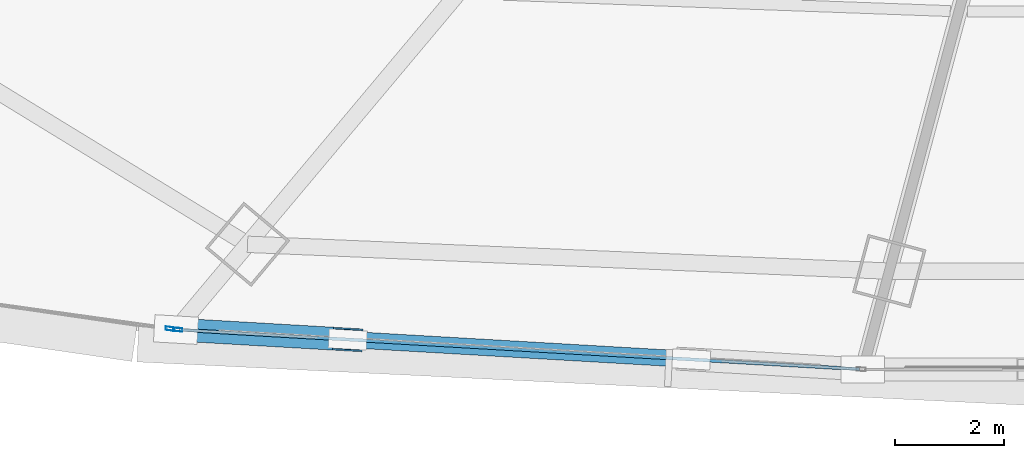
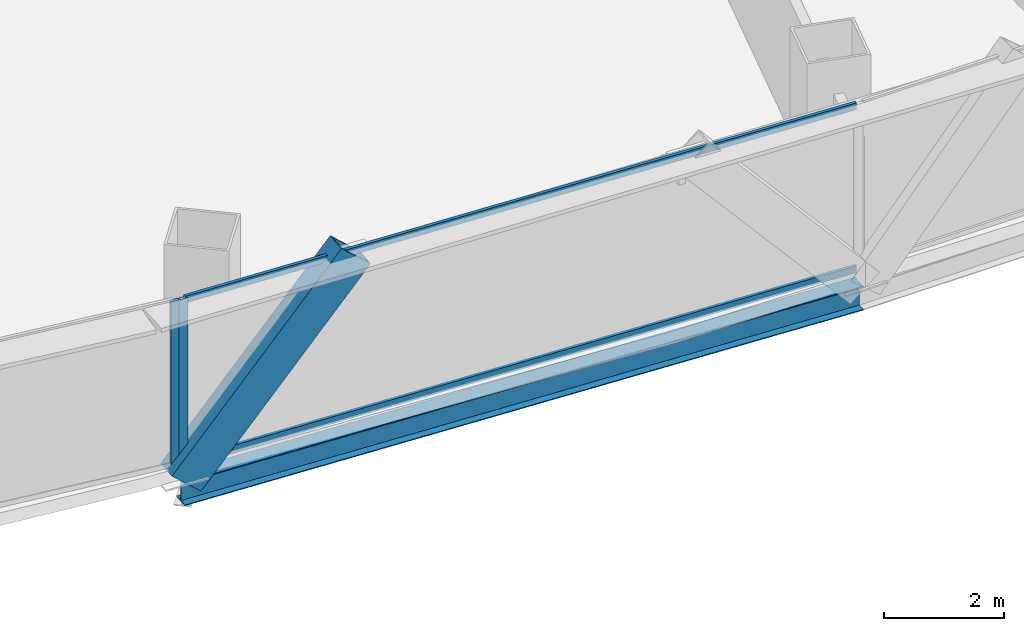
# One storey, part 6 of 38: 5 members, 1 beam, 2 elements without a shape of their own.
"""IFC4 building model written with IfcOpenShell, lengths in metres."""

from ifc_helpers import new_model, si_unit, direction, frame, origin, origin_2d, place, context, subcontext, project, spatial, hollow_rectangle, i_section, extrude, source, transform, mapped, material, layer, layer_set, material_profile, profile_set, type_object, element, aggregate, save


model = new_model("IFC4")

# Units and contexts
model_context = context("Model", 3, precision=1e-05, world=origin(), true_north=direction((0.0, 1.0)))
body_context = subcontext(model_context, "Body", "Model", "MODEL_VIEW")
ifc_project = project(units=[si_unit("LENGTHUNIT", "METRE"), si_unit("AREAUNIT", "SQUARE_METRE"), si_unit("VOLUMEUNIT", "CUBIC_METRE"), si_unit("PLANEANGLEUNIT", "RADIAN"), si_unit("MASSUNIT", "GRAM", prefix="KILO"), si_unit("THERMODYNAMICTEMPERATUREUNIT", "KELVIN"), si_unit("POWERUNIT", "WATT")], contexts=[model_context])

# Site, building, storey
site_placement = place(None, origin())
site = spatial("IfcSite", under=ifc_project, at=site_placement, CompositionType="ELEMENT")
building_placement = place(site_placement, origin())
building = spatial("IfcBuilding", under=site, at=building_placement, Name="Yunzhuo Pagoda Commons", CompositionType="ELEMENT")
storey_placement = place(building_placement, frame((0.0, 0.0, 34.030029296875)))
storey = spatial("IfcBuildingStorey", under=building, at=storey_placement, Name="L08", CompositionType="ELEMENT", Elevation=34.030029296875)

# Beam
ifc_material_1 = material(Name="Structural steel Q355B", Category="steel")
ifc_material_profile_1 = material_profile(ifc_material_1, i_section(OverallWidth=0.300048828125, OverallDepth=0.488037109375, WebThickness=0.010986328125, FlangeThickness=0.01806640625, at=origin_2d()), Name="Structural steel Q355B")
ifc_profile_set_1 = profile_set([ifc_material_profile_1], Name="Structural steel Q355B")
beam_type = type_object("IfcBeamType", Name="B-SP1 Beam HM 488x300x11x18", PredefinedType="BEAM", material=ifc_profile_set_1)
shared_shape_1 = source(origin(), body_context, "Body", "SweptSolid", [
    extrude(i_section(OverallWidth=0.300048828125, OverallDepth=0.488037109375, WebThickness=0.010986328125, FlangeThickness=0.01806640625, at=origin_2d()), origin(), (0.0, 0.0, 1.0), 12.630615234375),
])
beam_placement = place(storey_placement, frame((29.18701171875, 11.279541015625, -0.504150390625), z_axis=(0.998321766978, -0.05791070349, 0.0), x_axis=(0.05791070349, 0.998321766978, 0.0)))
element("IfcBeam", 1, at=beam_placement, inside=storey, type_object=beam_type, Name="L08 facade edge spandrel beam F1.1", PredefinedType="BEAM", context=body_context, shape_type="MappedRepresentation", body=[
    mapped(shared_shape_1, transform((0.0, 0.0, 0.0), scale=1.0)),
])

# Member
ifc_material_2 = material(Name="Structural steel Q420B", Category="steel")
ifc_material_profile_2 = material_profile(ifc_material_2, hollow_rectangle(XDim=0.419921875, YDim=0.719970703125, WallThickness=0.028076171875, at=origin_2d()), Name="Structural steel Q420B")
ifc_profile_set_2 = profile_set([ifc_material_profile_2], Name="Structural steel Q420B")
member_type_1 = type_object("IfcMemberType", Name="M-DL1 Brace BOX 720x420x28", PredefinedType="BRACE", material=ifc_profile_set_2)
shared_shape_2 = source(origin(), body_context, "Body", "SweptSolid", [
    extrude(hollow_rectangle(XDim=0.419921875, YDim=0.719970703125, WallThickness=0.028076171875, at=origin_2d()), origin(), (0.0, 0.0, 1.0), 4.81103515625),
])
member_1_placement = place(storey_placement, frame((29.18701171875, 11.279541015625, -0.259765625), z_axis=(0.655276054656, -0.038008345461, 0.754432672854), x_axis=(0.057906233846, 0.998322026243, 0.0)))
element("IfcMember", 2, at=member_1_placement, inside=storey, type_object=member_type_1, Name="L08 facade diamond brace F1.1L", PredefinedType="BRACE", context=body_context, shape_type="MappedRepresentation", body=[
    mapped(shared_shape_2, transform((0.0, 0.0, 0.0), scale=1.0)),
])

# Curtain wall, members
ifc_material_3 = material(Name="Anodized aluminium 6063-T6", Category="aluminium")
ifc_layer = layer(ifc_material_3, 0.1650390625)
ifc_layer_set = layer_set([ifc_layer], Name="Anodized aluminium 6063-T6")
curtain_wall_type = type_object("IfcCurtainWallType", Name="CW-LOW Low-Zone Ribbon Curtain Wall", PredefinedType="NOTDEFINED", material=ifc_layer_set)
curtain_wall_1_placement = place(storey_placement, origin())
curtain_wall_1 = element("IfcCurtainWall", 3, at=curtain_wall_1_placement, inside=storey, type_object=curtain_wall_type, Name="L08 curtain wall CW-L08-F1B2", PredefinedType="NOTDEFINED")
ifc_material_profile_3 = material_profile(ifc_material_3, hollow_rectangle(XDim=0.06005859375, YDim=0.139892578125, WallThickness=0.00341796875, at=origin_2d()), Name="Anodized aluminium 6063-T6")
ifc_profile_set_3 = profile_set([ifc_material_profile_3], Name="Anodized aluminium 6063-T6")
member_type_2 = type_object("IfcMemberType", Name="CW-LOW-T Transom RHS 140x60x3.5", PredefinedType="USERDEFINED", material=ifc_profile_set_3)
shared_shape_3 = source(origin(), body_context, "Body", "SweptSolid", [
    extrude(hollow_rectangle(XDim=0.06005859375, YDim=0.139892578125, WallThickness=0.00341796875, at=origin_2d()), origin(), (0.0, 0.0, 1.0), 12.5009765625),
])
member_2_placement = place(storey_placement, frame((29.251953125, 11.275634765625, 0.030029296875), z_axis=(0.998323184506, -0.057886261569, 0.0), x_axis=(0.057886261569, 0.998323184506, 0.0)))
member_2 = element("IfcMember", 4, at=member_2_placement, type_object=member_type_2, Name="CW transom 1.1", ObjectType="TRANSOM", PredefinedType="USERDEFINED", context=body_context, shape_type="MappedRepresentation", body=[
    mapped(shared_shape_3, transform((0.0, 0.0, 0.0), scale=1.0)),
])
member_3_placement = place(storey_placement, frame((29.251953125, 11.275634765625, 3.340087890625), z_axis=(0.998323184506, -0.057886261569, 0.0), x_axis=(0.057886261569, 0.998323184506, 0.0)))
member_3 = element("IfcMember", 5, at=member_3_placement, type_object=member_type_2, Name="CW transom 1.2", ObjectType="TRANSOM", PredefinedType="USERDEFINED", context=body_context, shape_type="MappedRepresentation", body=[
    mapped(shared_shape_3, transform((0.0, 0.0, 0.0), scale=1.0)),
])
ifc_material_profile_4 = material_profile(ifc_material_3, hollow_rectangle(XDim=0.06494140625, YDim=0.1650390625, WallThickness=0.00390625, at=origin_2d()), Name="Anodized aluminium 6063-T6")
ifc_profile_set_4 = profile_set([ifc_material_profile_4], Name="Anodized aluminium 6063-T6")
member_type_3 = type_object("IfcMemberType", Name="CW-LOW-M Mullion RHS 165x65x4", PredefinedType="MULLION", material=ifc_profile_set_4)
shared_shape_4 = source(origin(), body_context, "Body", "SweptSolid", [
    extrude(hollow_rectangle(XDim=0.06494140625, YDim=0.1650390625, WallThickness=0.00390625, at=origin_2d()), origin(), (0.0, 0.0, 1.0), 3.369873046875),
])
member_4_placement = place(storey_placement, frame((29.219482421875, 11.277587890625, 0.0), z_axis=(0.0, 0.0, 1.0), x_axis=(0.05789866519, 0.998322465223, 0.0)))
member_4 = element("IfcMember", 6, at=member_4_placement, type_object=member_type_3, Name="CW mullion 1", PredefinedType="MULLION", context=body_context, shape_type="MappedRepresentation", body=[
    mapped(shared_shape_4, transform((0.0, 0.0, 0.0), scale=1.0)),
])
aggregate(curtain_wall_1, [member_4, member_2, member_3])

# Curtain wall, member
curtain_wall_2_placement = place(storey_placement, origin())
curtain_wall_2 = element("IfcCurtainWall", 7, at=curtain_wall_2_placement, inside=storey, type_object=curtain_wall_type, Name="L08 curtain wall CW-L08-F1B1", PredefinedType="NOTDEFINED")
member_5_placement = place(storey_placement, frame((29.08056640625, 11.29443359375, 0.0), z_axis=(0.0, 0.0, 1.0), x_axis=(0.138293641491, 0.99039127052, 0.0)))
member_5 = element("IfcMember", 8, at=member_5_placement, type_object=member_type_3, Name="CW mullion 2", PredefinedType="MULLION", context=body_context, shape_type="MappedRepresentation", body=[
    mapped(shared_shape_4, transform((0.0, 0.0, 0.0), scale=1.0)),
])
aggregate(curtain_wall_2, [member_5])

save(model, "model.ifc")
